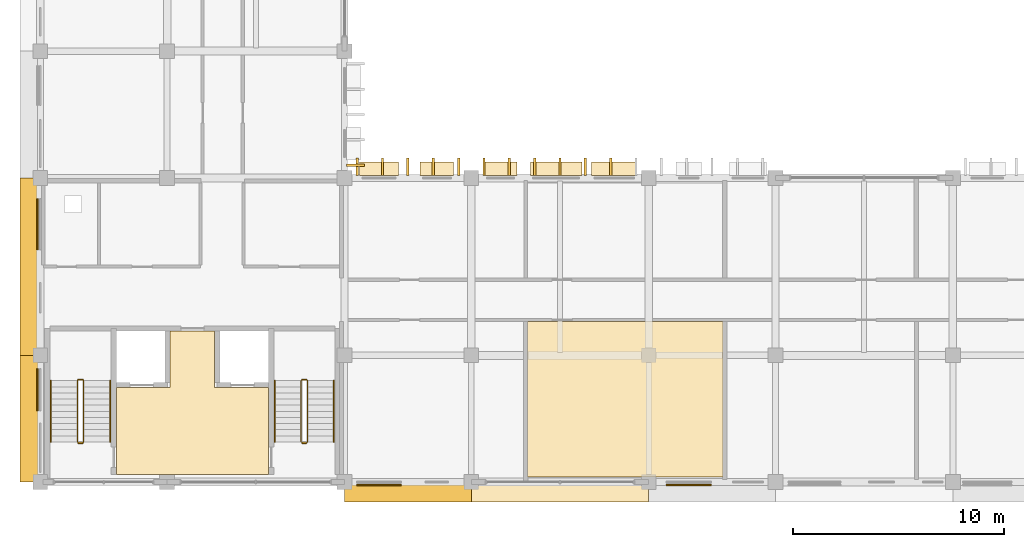
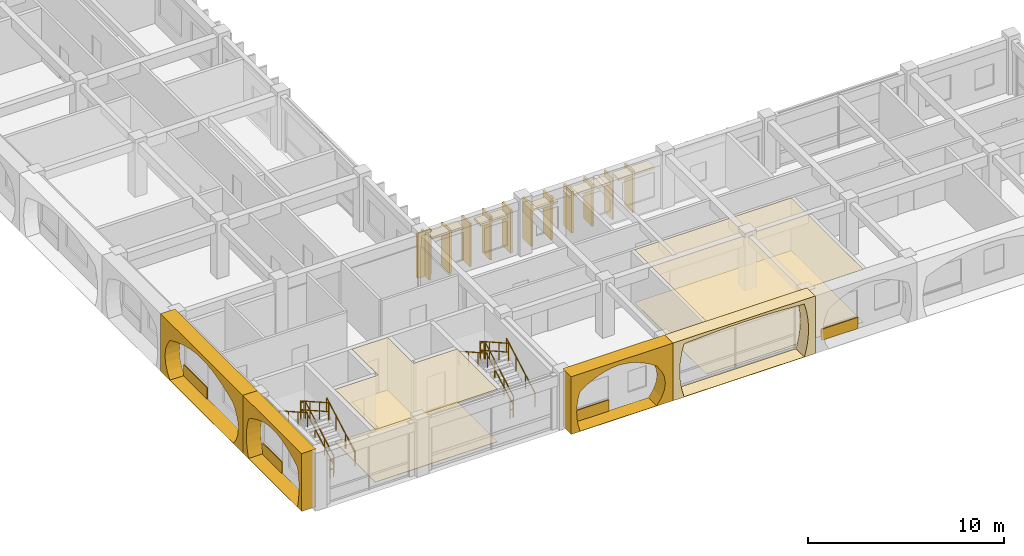
# One storey, part 69 of 88: 29 coverings, 12 railings.
"""IFC4 building model written with IfcOpenShell, lengths in metres."""

from ifc_helpers import new_model, si_unit, direction, frame, origin, origin_2d, place, context, subcontext, project, spatial, polyline, rectangle, outline, extrude, material, layer, layer_set, type_object, element, save


model = new_model("IFC4")

# Units and contexts
model_context = context("Model", 3, precision=1e-05, world=origin(), true_north=direction((0.0, 1.0)))
body_context = subcontext(model_context, "Body", "Model", "MODEL_VIEW")
ifc_project = project(units=[si_unit("LENGTHUNIT", "METRE"), si_unit("AREAUNIT", "SQUARE_METRE"), si_unit("VOLUMEUNIT", "CUBIC_METRE"), si_unit("PLANEANGLEUNIT", "RADIAN"), si_unit("MASSUNIT", "GRAM", prefix="KILO"), si_unit("THERMODYNAMICTEMPERATUREUNIT", "KELVIN")], contexts=[model_context])

# Site, building, storey
site_placement = place(None, origin())
site = spatial("IfcSite", under=ifc_project, at=site_placement, CompositionType="ELEMENT")
building_placement = place(site_placement, origin())
building = spatial("IfcBuilding", under=site, at=building_placement, Name="Thalorik Housing Commons", CompositionType="ELEMENT")
storey_placement = place(building_placement, frame((0.0, 0.0, 4.5)))
storey = spatial("IfcBuildingStorey", under=building, at=storey_placement, Name="L01", CompositionType="ELEMENT", Elevation=4.5)

# Coverings
ifc_material_1 = material(Name="Cobalt blue glazed ceramic facade tile panel", Category="masonry")
ifc_layer_1 = layer(ifc_material_1, 0.06005859375, Name="Cobalt blue glazed ceramic facade tile panel", Category="masonry")
ifc_layer_set_1 = layer_set([ifc_layer_1], Name="Cobalt blue glazed ceramic facade tile panel")
covering_type_1 = type_object("IfcCoveringType", Name="ARC-CLD-BLU-60", PredefinedType="CLADDING", material=ifc_layer_set_1)
covering_1_placement = place(storey_placement, frame((8.262451171875, 12.77001953125, 0.0498046875), z_axis=(0.0, 0.0, 1.0), x_axis=(0.0, -1.0, 0.0)))
element("IfcCovering", 1, at=covering_1_placement, inside=storey, type_object=covering_type_1, Name="L01 De Stijl Recessed Window Spandrel 3483", PredefinedType="CLADDING", context=body_context, shape_type="SweptSolid", body=[
    extrude(rectangle(XDim=1.97998046875, YDim=0.06005859375, at=origin_2d()), origin(), (0.0, 0.0, 1.0), 0.699951171875),
])
covering_2_placement = place(storey_placement, frame((24.429931640625, 8.262451171875, 0.0498046875), z_axis=(0.0, 0.0, 1.0), x_axis=(1.0, 0.0, 0.0)))
element("IfcCovering", 2, at=covering_2_placement, inside=storey, type_object=covering_type_1, Name="L01 De Stijl Recessed Window Spandrel 3485", PredefinedType="CLADDING", context=body_context, shape_type="SweptSolid", body=[
    extrude(rectangle(XDim=2.1201171875, YDim=0.06005859375, at=origin_2d()), origin(), (0.0, 0.0, 1.0), 0.699951171875),
])
ifc_material_2 = material(Name="Precast concrete C40/50", Category="concrete")
ifc_layer_2 = layer(ifc_material_2, 0.85009765625, Name="Precast concrete C40/50", Category="concrete")
ifc_layer_set_2 = layer_set([ifc_layer_2], Name="Precast concrete C40/50")
covering_type_2 = type_object("IfcCoveringType", Name="ARC-CLD-CUSH-850", PredefinedType="CLADDING", material=ifc_layer_set_2)
covering_3_placement = place(storey_placement, frame((7.87255859375, 18.60009765625, 0.0), z_axis=(0.0, 0.0, 1.0), x_axis=(0.0, -1.0, 0.0)))
element("IfcCovering", 3, at=covering_3_placement, inside=storey, type_object=covering_type_2, Name="L01 White Precast Curved Cushion Bay Frame 3480", PredefinedType="CLADDING", context=body_context, shape_type="SweptSolid", body=[
    extrude(outline(polyline([(-4.199951171875, 0.0), (4.199951171875, 0.0), (4.199951171875, 3.60009765625), (-4.199951171875, 3.60009765625), (-4.199951171875, 0.0)]), holes=[polyline([(3.239990234375, 0.02490234375), (3.523193359375, 0.4375), (3.693359375, 0.85009765625), (3.75, 1.262451171875), (3.693359375, 1.675048828125), (3.523193359375, 2.08740234375), (3.239990234375, 2.5), (2.69873046875, 2.755615234375), (2.157470703125, 2.956298828125), (1.6162109375, 3.119140625), (1.074951171875, 3.239990234375), (0.53369140625, 3.314697265625), (-0.007568359375, 3.340087890625), (-0.548828125, 3.314697265625), (-1.090087890625, 3.239990234375), (-1.631103515625, 3.119140625), (-2.172607421875, 2.956298828125), (-2.713623046875, 2.755615234375), (-3.2548828125, 2.5), (-3.530029296875, 2.08740234375), (-3.695068359375, 1.675048828125), (-3.75, 1.262451171875), (-3.695068359375, 0.85009765625), (-3.530029296875, 0.4375), (-3.2548828125, 0.02490234375), (3.239990234375, 0.02490234375)])]), frame((0.0, 0.425048828125, 0.0), z_axis=(0.0, -1.0, 0.0), x_axis=(1.0, 0.0, 0.0)), (0.0, 0.0, 1.0), 0.85009765625),
])
covering_4_placement = place(storey_placement, frame((7.87255859375, 11.39990234375, 0.0), z_axis=(0.0, 0.0, 1.0), x_axis=(0.0, -1.0, 0.0)))
element("IfcCovering", 4, at=covering_4_placement, inside=storey, type_object=covering_type_2, Name="L01 White Precast Curved Cushion Bay Frame 3482", PredefinedType="CLADDING", context=body_context, shape_type="SweptSolid", body=[
    extrude(outline(polyline([(-3.0, 0.0), (3.0, 0.0), (3.0, 3.60009765625), (-3.0, 3.60009765625), (-3.0, 0.0)]), holes=[polyline([(2.580078125, 0.02490234375), (2.668701171875, 0.4375), (2.721923828125, 0.85009765625), (2.739501953125, 1.262451171875), (2.721923828125, 1.675048828125), (2.668701171875, 2.08740234375), (2.580078125, 2.5), (2.164306640625, 2.755615234375), (1.748291015625, 2.956298828125), (1.33251953125, 3.119140625), (0.916748046875, 3.239990234375), (0.500732421875, 3.314697265625), (0.0849609375, 3.340087890625), (-0.330810546875, 3.314697265625), (-0.74658203125, 3.239990234375), (-1.16259765625, 3.119140625), (-1.578369140625, 2.956298828125), (-1.994140625, 2.755615234375), (-2.409912109375, 2.5), (-2.53466796875, 2.08740234375), (-2.609375, 1.675048828125), (-2.63427734375, 1.262451171875), (-2.609375, 0.85009765625), (-2.53466796875, 0.4375), (-2.409912109375, 0.02490234375), (2.580078125, 0.02490234375)])]), frame((0.0, 0.425048828125, 0.0), z_axis=(0.0, -1.0, 0.0), x_axis=(1.0, 0.0, 0.0)), (0.0, 0.0, 1.0), 0.85009765625),
])
covering_5_placement = place(storey_placement, frame((25.800048828125, 7.87255859375, 0.0), z_axis=(0.0, 0.0, 1.0), x_axis=(1.0, 0.0, 0.0)))
element("IfcCovering", 5, at=covering_5_placement, inside=storey, type_object=covering_type_2, Name="L01 White Precast Curved Cushion Bay Frame 3484", PredefinedType="CLADDING", context=body_context, shape_type="SweptSolid", body=[
    extrude(outline(polyline([(-3.0, 0.0), (3.0, 0.0), (3.0, 3.60009765625), (-3.0, 3.60009765625), (-3.0, 0.0)]), holes=[polyline([(2.0400390625, 0.02490234375), (2.3232421875, 0.4375), (2.493408203125, 0.85009765625), (2.550048828125, 1.262451171875), (2.493408203125, 1.675048828125), (2.3232421875, 2.08740234375), (2.0400390625, 2.5), (1.663330078125, 2.755615234375), (1.28662109375, 2.956298828125), (0.909912109375, 3.119140625), (0.533203125, 3.239990234375), (0.15673828125, 3.314697265625), (-0.219970703125, 3.340087890625), (-0.5966796875, 3.314697265625), (-0.973388671875, 3.239990234375), (-1.35009765625, 3.119140625), (-1.726806640625, 2.956298828125), (-2.103271484375, 2.755615234375), (-2.47998046875, 2.5), (-2.58984375, 2.08740234375), (-2.655517578125, 1.675048828125), (-2.677490234375, 1.262451171875), (-2.655517578125, 0.85009765625), (-2.58984375, 0.4375), (-2.47998046875, 0.02490234375), (2.0400390625, 0.02490234375)])]), frame((0.0, 0.425048828125, 0.0), z_axis=(0.0, -1.0, 0.0), x_axis=(1.0, 0.0, 0.0)), (0.0, 0.0, 1.0), 0.85009765625),
])
covering_6_placement = place(storey_placement, frame((33.0, 7.87255859375, 0.0), z_axis=(0.0, 0.0, 1.0), x_axis=(1.0, 0.0, 0.0)))
element("IfcCovering", 6, at=covering_6_placement, inside=storey, type_object=covering_type_2, Name="L01 White Precast Curved Cushion Bay Frame 3486", PredefinedType="CLADDING", context=body_context, shape_type="SweptSolid", body=[
    extrude(outline(polyline([(-4.199951171875, 0.0), (4.199951171875, 0.0), (4.199951171875, 3.60009765625), (-4.199951171875, 3.60009765625), (-4.199951171875, 0.0)]), holes=[polyline([(3.550048828125, 0.02490234375), (3.687255859375, 0.57421875), (3.76953125, 1.123291015625), (3.797119140625, 1.672607421875), (3.76953125, 2.2216796875), (3.687255859375, 2.770751953125), (3.550048828125, 3.320068359375), (2.958251953125, 3.362548828125), (2.36669921875, 3.39599609375), (1.77490234375, 3.423095703125), (1.183349609375, 3.443359375), (0.591796875, 3.455810546875), (0.0, 3.4599609375), (-0.591796875, 3.455810546875), (-1.183349609375, 3.443359375), (-1.77490234375, 3.423095703125), (-2.36669921875, 3.39599609375), (-2.958251953125, 3.362548828125), (-3.550048828125, 3.320068359375), (-3.687255859375, 2.770751953125), (-3.76953125, 2.2216796875), (-3.797119140625, 1.672607421875), (-3.76953125, 1.123291015625), (-3.687255859375, 0.57421875), (-3.550048828125, 0.02490234375), (3.550048828125, 0.02490234375)])]), frame((0.0, 0.425048828125, 0.0), z_axis=(0.0, -1.0, 0.0), x_axis=(1.0, 0.0, 0.0)), (0.0, 0.0, 1.0), 0.85009765625),
])
ifc_layer_3 = layer(ifc_material_2, 0.85009765625, Name="Precast concrete C40/50", Category="concrete")
ifc_layer_set_3 = layer_set([ifc_layer_3], Name="Precast concrete C40/50")
covering_type_3 = type_object("IfcCoveringType", Name="ARC-CLD-FIN-850", PredefinedType="CLADDING", material=ifc_layer_set_3)
covering_7_placement = place(storey_placement, frame((23.327392578125, 23.39990234375, 0.0400390625), z_axis=(0.0, 0.0, 1.0), x_axis=(0.0, 1.0, 0.0)))
element("IfcCovering", 7, at=covering_7_placement, inside=storey, type_object=covering_type_3, Name="L01 Courtyard Precast Vertical Brise-Soleil Fin 3430", PredefinedType="CLADDING", context=body_context, shape_type="SweptSolid", body=[
    extrude(rectangle(XDim=0.110107421875, YDim=0.85009765625, at=origin_2d()), origin(), (0.0, 0.0, 1.0), 2.794921875),
])
for number, where, z_axis, x_axis, name in (
    (8, (35.39990234375, 23.327392578125, 0.0400390625), (0.0, 0.0, 1.0), (-1.0, 0.0, 0.0), "L01 Courtyard Precast Vertical Brise-Soleil Fin 3515"),
    (9, (34.199951171875, 23.327392578125, 0.0400390625), (0.0, 0.0, 1.0), (-1.0, 0.0, 0.0), "L01 Courtyard Precast Vertical Brise-Soleil Fin 3516"),
    (10, (33.0, 23.327392578125, 0.0400390625), (0.0, 0.0, 1.0), (-1.0, 0.0, 0.0), "L01 Courtyard Precast Vertical Brise-Soleil Fin 3517"),
    (11, (31.800048828125, 23.327392578125, 0.0400390625), (0.0, 0.0, 1.0), (-1.0, 0.0, 0.0), "L01 Courtyard Precast Vertical Brise-Soleil Fin 3518"),
    (12, (30.60009765625, 23.327392578125, 0.0400390625), (0.0, 0.0, 1.0), (-1.0, 0.0, 0.0), "L01 Courtyard Precast Vertical Brise-Soleil Fin 3519"),
    (13, (29.39990234375, 23.327392578125, 0.0400390625), (0.0, 0.0, 1.0), (-1.0, 0.0, 0.0), "L01 Courtyard Precast Vertical Brise-Soleil Fin 3520"),
):
    element("IfcCovering", number, at=place(storey_placement, frame(where, z_axis=z_axis, x_axis=x_axis)), inside=storey, type_object=covering_type_3, Name=name, PredefinedType="CLADDING", context=body_context, shape_type="SweptSolid", body=[
        extrude(rectangle(XDim=0.110107421875, YDim=0.85009765625, at=origin_2d()), origin(), (0.0, 0.0, 1.0), 2.594970703125),
    ])
for number, where, z_axis, x_axis, name in (
    (14, (28.199951171875, 23.327392578125, 0.0400390625), (0.0, 0.0, 1.0), (-1.0, 0.0, 0.0), "L01 Courtyard Precast Vertical Brise-Soleil Fin 3524"),
    (15, (27.0, 23.327392578125, 0.0400390625), (0.0, 0.0, 1.0), (-1.0, 0.0, 0.0), "L01 Courtyard Precast Vertical Brise-Soleil Fin 3525"),
    (16, (25.800048828125, 23.327392578125, 0.0400390625), (0.0, 0.0, 1.0), (-1.0, 0.0, 0.0), "L01 Courtyard Precast Vertical Brise-Soleil Fin 3526"),
    (17, (24.60009765625, 23.327392578125, 0.0400390625), (0.0, 0.0, 1.0), (-1.0, 0.0, 0.0), "L01 Courtyard Precast Vertical Brise-Soleil Fin 3527"),
    (18, (23.39990234375, 23.327392578125, 0.0400390625), (0.0, 0.0, 1.0), (-1.0, 0.0, 0.0), "L01 Courtyard Precast Vertical Brise-Soleil Fin 3528"),
):
    element("IfcCovering", number, at=place(storey_placement, frame(where, z_axis=z_axis, x_axis=x_axis)), inside=storey, type_object=covering_type_3, Name=name, PredefinedType="CLADDING", context=body_context, shape_type="SweptSolid", body=[
        extrude(rectangle(XDim=0.110107421875, YDim=0.85009765625, at=origin_2d()), origin(), (0.0, 0.0, 1.0), 2.695068359375),
    ])
ifc_layer_4 = layer(ifc_material_2, 0.64990234375, Name="Precast concrete C40/50", Category="concrete")
ifc_layer_set_4 = layer_set([ifc_layer_4], Name="Precast concrete C40/50")
covering_type_4 = type_object("IfcCoveringType", Name="ARC-CLD-HOOD-650", PredefinedType="CLADDING", material=ifc_layer_set_4)
covering_8_placement = place(storey_placement, frame((35.5673828125, 23.2275390625, 2.33984375), z_axis=(0.0, 0.0, 1.0), x_axis=(-1.0, 0.0, 0.0)))
element("IfcCovering", 19, at=covering_8_placement, inside=storey, type_object=covering_type_4, Name="L01 Courtyard Precast Window Sun-Hood 3521", PredefinedType="CLADDING", context=body_context, shape_type="SweptSolid", body=[
    extrude(rectangle(XDim=2.139892578125, YDim=0.64990234375, at=origin_2d()), origin(), (0.0, 0.0, 1.0), 0.139892578125),
])
covering_9_placement = place(storey_placement, frame((32.822509765625, 23.2275390625, 2.2900390625), z_axis=(0.0, 0.0, 1.0), x_axis=(-1.0, 0.0, 0.0)))
element("IfcCovering", 20, at=covering_9_placement, inside=storey, type_object=covering_type_4, Name="L01 Courtyard Precast Window Sun-Hood 3522", PredefinedType="CLADDING", context=body_context, shape_type="SweptSolid", body=[
    extrude(rectangle(XDim=2.43994140625, YDim=0.64990234375, at=origin_2d()), origin(), (0.0, 0.0, 1.0), 0.139892578125),
])
covering_10_placement = place(storey_placement, frame((30.18505859375, 23.2275390625, 2.18994140625), z_axis=(0.0, 0.0, 1.0), x_axis=(-1.0, 0.0, 0.0)))
element("IfcCovering", 21, at=covering_10_placement, inside=storey, type_object=covering_type_4, Name="L01 Courtyard Precast Window Sun-Hood 3523", PredefinedType="CLADDING", context=body_context, shape_type="SweptSolid", body=[
    extrude(rectangle(XDim=1.5400390625, YDim=0.64990234375, at=origin_2d()), origin(), (0.0, 0.0, 1.0), 0.139892578125),
])
covering_11_placement = place(storey_placement, frame((27.169921875, 23.2275390625, 2.33984375), z_axis=(0.0, 0.0, 1.0), x_axis=(-1.0, 0.0, 0.0)))
element("IfcCovering", 22, at=covering_11_placement, inside=storey, type_object=covering_type_4, Name="L01 Courtyard Precast Window Sun-Hood 3529", PredefinedType="CLADDING", context=body_context, shape_type="SweptSolid", body=[
    extrude(rectangle(XDim=1.590087890625, YDim=0.64990234375, at=origin_2d()), origin(), (0.0, 0.0, 1.0), 0.139892578125),
])
covering_12_placement = place(storey_placement, frame((24.429931640625, 23.2275390625, 2.5400390625), z_axis=(0.0, 0.0, 1.0), x_axis=(-1.0, 0.0, 0.0)))
element("IfcCovering", 23, at=covering_12_placement, inside=storey, type_object=covering_type_4, Name="L01 Courtyard Precast Window Sun-Hood 3530", PredefinedType="CLADDING", context=body_context, shape_type="SweptSolid", body=[
    extrude(rectangle(XDim=1.840087890625, YDim=0.64990234375, at=origin_2d()), origin(), (0.0, 0.0, 1.0), 0.139892578125),
])
ifc_material_3 = material(Name="Terracotta red mineral fibre-cement panel", Category="masonry")
ifc_layer_5 = layer(ifc_material_3, 0.054931640625, Name="Terracotta red mineral fibre-cement panel", Category="masonry")
ifc_layer_set_5 = layer_set([ifc_layer_5], Name="Terracotta red mineral fibre-cement panel")
covering_type_5 = type_object("IfcCoveringType", Name="ARC-CLD-RED-55", PredefinedType="CLADDING", material=ifc_layer_set_5)
covering_13_placement = place(storey_placement, frame((8.264892578125, 20.60498046875, 0.0498046875), z_axis=(0.0, 0.0, 1.0), x_axis=(0.0, -1.0, 0.0)))
element("IfcCovering", 24, at=covering_13_placement, inside=storey, type_object=covering_type_5, Name="L01 De Stijl Recessed Window Spandrel 3481", PredefinedType="CLADDING", context=body_context, shape_type="SweptSolid", body=[
    extrude(rectangle(XDim=2.39990234375, YDim=0.054931640625, at=origin_2d()), origin(), (0.0, 0.0, 1.0), 0.699951171875),
])
covering_14_placement = place(storey_placement, frame((39.094970703125, 8.264892578125, 0.0498046875), z_axis=(0.0, 0.0, 1.0), x_axis=(1.0, 0.0, 0.0)))
element("IfcCovering", 25, at=covering_14_placement, inside=storey, type_object=covering_type_5, Name="L01 De Stijl Recessed Window Spandrel 3488", PredefinedType="CLADDING", context=body_context, shape_type="SweptSolid", body=[
    extrude(rectangle(XDim=2.14990234375, YDim=0.054931640625, at=origin_2d()), origin(), (0.0, 0.0, 1.0), 0.699951171875),
])
ifc_material_4 = material(Name="Slatted timber acoustic hall baffle ceiling", Category="wood")
ifc_layer_6 = layer(ifc_material_4, 0.02197265625, Name="Slatted timber acoustic hall baffle ceiling", Category="wood")
ifc_layer_set_6 = layer_set([ifc_layer_6], Name="Slatted timber acoustic hall baffle ceiling")
covering_type_6 = type_object("IfcCoveringType", Name="ARC-COV-CEIL-03", PredefinedType="CEILING", material=ifc_layer_set_6)
covering_15_placement = place(storey_placement, frame((0.0, 0.0, 3.278076171875)))
element("IfcCovering", 26, at=covering_15_placement, inside=storey, type_object=covering_type_6, Name="L01 Shared Sewing Workshop Suspended Ceiling", PredefinedType="CEILING", context=body_context, shape_type="SweptSolid", body=[
    extrude(outline(polyline([(40.719970703125, 8.639892578125), (40.719970703125, 16.0), (31.4599609375, 16.0), (31.4599609375, 8.639892578125), (40.719970703125, 8.639892578125)])), origin(), (0.0, 0.0, 1.0), 0.02197265625),
])
ifc_material_5 = material(Name="Fire-rated calcium silicate corridor ceiling")
ifc_layer_7 = layer(ifc_material_5, 0.030029296875, Name="Fire-rated calcium silicate corridor ceiling")
ifc_layer_set_7 = layer_set([ifc_layer_7], Name="Fire-rated calcium silicate corridor ceiling")
covering_type_7 = type_object("IfcCoveringType", Name="ARC-COV-CEIL-05", PredefinedType="CEILING", material=ifc_layer_set_7)
covering_16_placement = place(storey_placement, frame((0.0, 0.0, 3.27001953125)))
element("IfcCovering", 27, at=covering_16_placement, inside=storey, type_object=covering_type_7, Name="L01 Block C Firefighting Lift Lobby Suspended Ceiling", PredefinedType="CEILING", context=body_context, shape_type="SweptSolid", body=[
    extrude(outline(polyline([(12.0, 12.8798828125), (12.0, 8.75), (19.199951171875, 8.75), (19.199951171875, 12.8798828125), (16.64990234375, 12.880126953125), (16.64990234375, 15.550048828125), (14.550048828125, 15.550048828125), (14.550048828125, 12.8798828125), (12.0, 12.8798828125)])), origin(), (0.0, 0.0, 1.0), 0.030029296875),
])
ifc_material_6 = material(Name="Cushioned natural linoleum nursery playroom flooring")
ifc_layer_8 = layer(ifc_material_6, 0.02001953125, Name="Cushioned natural linoleum nursery playroom flooring")
ifc_layer_set_8 = layer_set([ifc_layer_8], Name="Cushioned natural linoleum nursery playroom flooring")
covering_type_8 = type_object("IfcCoveringType", Name="ARC-COV-FLR-03", PredefinedType="FLOORING", material=ifc_layer_set_8)
covering_17_placement = place(storey_placement, origin())
element("IfcCovering", 28, at=covering_17_placement, inside=storey, type_object=covering_type_8, Name="L01 Shared Sewing Workshop Flooring", PredefinedType="FLOORING", context=body_context, shape_type="SweptSolid", body=[
    extrude(outline(polyline([(40.719970703125, 8.639892578125), (40.719970703125, 16.0), (31.4599609375, 16.0), (31.4599609375, 8.639892578125), (40.719970703125, 8.639892578125)])), origin(), (0.0, 0.0, 1.0), 0.02001953125),
])
ifc_material_7 = material(Name="Heavy-duty porcelain metro vestibule tile")
ifc_layer_9 = layer(ifc_material_7, 0.028076171875, Name="Heavy-duty porcelain metro vestibule tile")
ifc_layer_set_9 = layer_set([ifc_layer_9], Name="Heavy-duty porcelain metro vestibule tile")
covering_type_9 = type_object("IfcCoveringType", Name="ARC-COV-FLR-05", PredefinedType="FLOORING", material=ifc_layer_set_9)
covering_18_placement = place(storey_placement, origin())
element("IfcCovering", 29, at=covering_18_placement, inside=storey, type_object=covering_type_9, Name="L01 Block C Firefighting Lift Lobby Flooring", PredefinedType="FLOORING", context=body_context, shape_type="SweptSolid", body=[
    extrude(outline(polyline([(12.0, 12.8798828125), (12.0, 8.75), (19.199951171875, 8.75), (19.199951171875, 12.8798828125), (16.64990234375, 12.880126953125), (16.64990234375, 15.550048828125), (14.550048828125, 15.550048828125), (14.550048828125, 12.8798828125), (12.0, 12.8798828125)])), origin(), (0.0, 0.0, 1.0), 0.028076171875),
])

# Railings
ifc_material_8 = material(Name="Steel S355", Category="steel")
railing_type_1 = type_object("IfcRailingType", Name="ARC-RL-STR-GRD110", PredefinedType="GUARDRAIL", material=ifc_material_8)
railing_1_placement = place(storey_placement, frame((10.449951171875, 10.300048828125, 0.16357421875)))
element("IfcRailing", 30, at=railing_1_placement, inside=storey, type_object=railing_type_1, Name="L01 ST-C1 stair guard 1", PredefinedType="GUARDRAIL", context=body_context, shape_type="SweptSolid", body=[
    extrude(rectangle(XDim=0.048095703125, YDim=0.048095703125, at=origin_2d()), frame((0.0, 0.0, 1.076171875), z_axis=(0.0, 0.870897200241, 0.491465224214), x_axis=(-1.0, 0.0, 0.0)), (0.0, 0.0, 1.0), 3.329833984375),
    extrude(rectangle(XDim=0.048095703125, YDim=0.048095703125, at=origin_2d()), frame((0.0, 0.0, 0.52587890625), z_axis=(0.0, 0.870897200241, 0.491465224214), x_axis=(-1.0, 0.0, 0.0)), (0.0, 0.0, 1.0), 3.329833984375),
    extrude(rectangle(XDim=0.0419921875, YDim=0.0419921875, at=origin_2d()), origin(), (0.0, 0.0, 1.0), 1.052001953125),
    extrude(rectangle(XDim=0.0419921875, YDim=0.0419921875, at=origin_2d()), frame((0.0, 0.966552734375, 0.54541015625)), (0.0, 0.0, 1.0), 1.052001953125),
    extrude(rectangle(XDim=0.0419921875, YDim=0.0419921875, at=origin_2d()), frame((0.0, 1.933349609375, 1.091064453125)), (0.0, 0.0, 1.0), 1.052001953125),
    extrude(rectangle(XDim=0.0419921875, YDim=0.0419921875, at=origin_2d()), frame((0.0, 2.89990234375, 1.636474609375)), (0.0, 0.0, 1.0), 1.052001953125),
])
railing_2_placement = place(storey_placement, frame((10.39990234375, 13.25, 1.800048828125)))
element("IfcRailing", 31, at=railing_2_placement, inside=storey, type_object=railing_type_1, Name="L01 ST-C1 stair guard 2", PredefinedType="GUARDRAIL", context=body_context, shape_type="SweptSolid", body=[
    extrude(rectangle(XDim=0.048095703125, YDim=0.048095703125, at=origin_2d()), frame((0.0, 0.0, 1.076171875), z_axis=(-1.0, 0.0, 0.0), x_axis=(0.0, -1.0, 0.0)), (0.0, 0.0, 1.0), 0.199951171875),
    extrude(rectangle(XDim=0.048095703125, YDim=0.048095703125, at=origin_2d()), frame((0.0, 0.0, 0.52587890625), z_axis=(-1.0, 0.0, 0.0), x_axis=(0.0, -1.0, 0.0)), (0.0, 0.0, 1.0), 0.199951171875),
    extrude(rectangle(XDim=0.0419921875, YDim=0.0419921875, at=origin_2d()), origin(), (0.0, 0.0, 1.0), 1.052001953125),
    extrude(rectangle(XDim=0.0419921875, YDim=0.0419921875, at=origin_2d()), frame((-0.199951171875, 0.0, 0.0)), (0.0, 0.0, 1.0), 1.052001953125),
])
railing_3_placement = place(storey_placement, frame((10.14990234375, 13.199951171875, 1.963623046875)))
element("IfcRailing", 32, at=railing_3_placement, inside=storey, type_object=railing_type_1, Name="L01 ST-C1 stair guard 3", PredefinedType="GUARDRAIL", context=body_context, shape_type="SweptSolid", body=[
    extrude(rectangle(XDim=0.048095703125, YDim=0.048095703125, at=origin_2d()), frame((0.0, 0.0, 1.076171875), z_axis=(0.0, -0.870897200241, 0.491465224214), x_axis=(1.0, 0.0, 0.0)), (0.0, 0.0, 1.0), 3.329833984375),
    extrude(rectangle(XDim=0.048095703125, YDim=0.048095703125, at=origin_2d()), frame((0.0, 0.0, 0.52587890625), z_axis=(0.0, -0.870897200241, 0.491465224214), x_axis=(1.0, 0.0, 0.0)), (0.0, 0.0, 1.0), 3.329833984375),
    extrude(rectangle(XDim=0.0419921875, YDim=0.0419921875, at=origin_2d()), origin(), (0.0, 0.0, 1.0), 1.052001953125),
    extrude(rectangle(XDim=0.0419921875, YDim=0.0419921875, at=origin_2d()), frame((0.0, -0.966552734375, 0.54541015625)), (0.0, 0.0, 1.0), 1.052001953125),
    extrude(rectangle(XDim=0.0419921875, YDim=0.0419921875, at=origin_2d()), frame((0.0, -1.933349609375, 1.091064453125)), (0.0, 0.0, 1.0), 1.052001953125),
    extrude(rectangle(XDim=0.0419921875, YDim=0.0419921875, at=origin_2d()), frame((0.0, -2.89990234375, 1.636474609375)), (0.0, 0.0, 1.0), 1.052001953125),
])
railing_4_placement = place(storey_placement, frame((10.39990234375, 10.25, 0.0)))
element("IfcRailing", 33, at=railing_4_placement, inside=storey, type_object=railing_type_1, Name="L01 ST-C1 stair guard 4", PredefinedType="GUARDRAIL", context=body_context, shape_type="SweptSolid", body=[
    extrude(rectangle(XDim=0.048095703125, YDim=0.048095703125, at=origin_2d()), frame((0.0, 0.0, 1.076171875), z_axis=(-1.0, 0.0, 0.0), x_axis=(0.0, -1.0, 0.0)), (0.0, 0.0, 1.0), 0.199951171875),
    extrude(rectangle(XDim=0.048095703125, YDim=0.048095703125, at=origin_2d()), frame((0.0, 0.0, 0.52587890625), z_axis=(-1.0, 0.0, 0.0), x_axis=(0.0, -1.0, 0.0)), (0.0, 0.0, 1.0), 0.199951171875),
    extrude(rectangle(XDim=0.0419921875, YDim=0.0419921875, at=origin_2d()), origin(), (0.0, 0.0, 1.0), 1.052001953125),
    extrude(rectangle(XDim=0.0419921875, YDim=0.0419921875, at=origin_2d()), frame((-0.199951171875, 0.0, 0.0)), (0.0, 0.0, 1.0), 1.052001953125),
])
railing_5_placement = place(storey_placement, frame((21.050048828125, 10.300048828125, 0.16357421875)))
element("IfcRailing", 34, at=railing_5_placement, inside=storey, type_object=railing_type_1, Name="L01 ST-C2 stair guard 1", PredefinedType="GUARDRAIL", context=body_context, shape_type="SweptSolid", body=[
    extrude(rectangle(XDim=0.048095703125, YDim=0.048095703125, at=origin_2d()), frame((0.0, 0.0, 1.076171875), z_axis=(0.0, 0.870897200241, 0.491465224214), x_axis=(-1.0, 0.0, 0.0)), (0.0, 0.0, 1.0), 3.329833984375),
    extrude(rectangle(XDim=0.048095703125, YDim=0.048095703125, at=origin_2d()), frame((0.0, 0.0, 0.52587890625), z_axis=(0.0, 0.870897200241, 0.491465224214), x_axis=(-1.0, 0.0, 0.0)), (0.0, 0.0, 1.0), 3.329833984375),
    extrude(rectangle(XDim=0.0419921875, YDim=0.0419921875, at=origin_2d()), origin(), (0.0, 0.0, 1.0), 1.052001953125),
    extrude(rectangle(XDim=0.0419921875, YDim=0.0419921875, at=origin_2d()), frame((0.0, 0.966552734375, 0.54541015625)), (0.0, 0.0, 1.0), 1.052001953125),
    extrude(rectangle(XDim=0.0419921875, YDim=0.0419921875, at=origin_2d()), frame((0.0, 1.933349609375, 1.091064453125)), (0.0, 0.0, 1.0), 1.052001953125),
    extrude(rectangle(XDim=0.0419921875, YDim=0.0419921875, at=origin_2d()), frame((0.0, 2.89990234375, 1.636474609375)), (0.0, 0.0, 1.0), 1.052001953125),
])
railing_6_placement = place(storey_placement, frame((21.0, 13.25, 1.800048828125)))
element("IfcRailing", 35, at=railing_6_placement, inside=storey, type_object=railing_type_1, Name="L01 ST-C2 stair guard 2", PredefinedType="GUARDRAIL", context=body_context, shape_type="SweptSolid", body=[
    extrude(rectangle(XDim=0.048095703125, YDim=0.048095703125, at=origin_2d()), frame((0.0, 0.0, 1.076171875), z_axis=(-1.0, 0.0, 0.0), x_axis=(0.0, -1.0, 0.0)), (0.0, 0.0, 1.0), 0.199951171875),
    extrude(rectangle(XDim=0.048095703125, YDim=0.048095703125, at=origin_2d()), frame((0.0, 0.0, 0.52587890625), z_axis=(-1.0, 0.0, 0.0), x_axis=(0.0, -1.0, 0.0)), (0.0, 0.0, 1.0), 0.199951171875),
    extrude(rectangle(XDim=0.0419921875, YDim=0.0419921875, at=origin_2d()), origin(), (0.0, 0.0, 1.0), 1.052001953125),
    extrude(rectangle(XDim=0.0419921875, YDim=0.0419921875, at=origin_2d()), frame((-0.199951171875, 0.0, 0.0)), (0.0, 0.0, 1.0), 1.052001953125),
])
railing_7_placement = place(storey_placement, frame((20.75, 13.199951171875, 1.963623046875)))
element("IfcRailing", 36, at=railing_7_placement, inside=storey, type_object=railing_type_1, Name="L01 ST-C2 stair guard 3", PredefinedType="GUARDRAIL", context=body_context, shape_type="SweptSolid", body=[
    extrude(rectangle(XDim=0.048095703125, YDim=0.048095703125, at=origin_2d()), frame((0.0, 0.0, 1.076171875), z_axis=(0.0, -0.870897200241, 0.491465224214), x_axis=(1.0, 0.0, 0.0)), (0.0, 0.0, 1.0), 3.329833984375),
    extrude(rectangle(XDim=0.048095703125, YDim=0.048095703125, at=origin_2d()), frame((0.0, 0.0, 0.52587890625), z_axis=(0.0, -0.870897200241, 0.491465224214), x_axis=(1.0, 0.0, 0.0)), (0.0, 0.0, 1.0), 3.329833984375),
    extrude(rectangle(XDim=0.0419921875, YDim=0.0419921875, at=origin_2d()), origin(), (0.0, 0.0, 1.0), 1.052001953125),
    extrude(rectangle(XDim=0.0419921875, YDim=0.0419921875, at=origin_2d()), frame((0.0, -0.966552734375, 0.54541015625)), (0.0, 0.0, 1.0), 1.052001953125),
    extrude(rectangle(XDim=0.0419921875, YDim=0.0419921875, at=origin_2d()), frame((0.0, -1.933349609375, 1.091064453125)), (0.0, 0.0, 1.0), 1.052001953125),
    extrude(rectangle(XDim=0.0419921875, YDim=0.0419921875, at=origin_2d()), frame((0.0, -2.89990234375, 1.636474609375)), (0.0, 0.0, 1.0), 1.052001953125),
])
railing_8_placement = place(storey_placement, frame((21.0, 10.25, 0.0)))
element("IfcRailing", 37, at=railing_8_placement, inside=storey, type_object=railing_type_1, Name="L01 ST-C2 stair guard 4", PredefinedType="GUARDRAIL", context=body_context, shape_type="SweptSolid", body=[
    extrude(rectangle(XDim=0.048095703125, YDim=0.048095703125, at=origin_2d()), frame((0.0, 0.0, 1.076171875), z_axis=(-1.0, 0.0, 0.0), x_axis=(0.0, -1.0, 0.0)), (0.0, 0.0, 1.0), 0.199951171875),
    extrude(rectangle(XDim=0.048095703125, YDim=0.048095703125, at=origin_2d()), frame((0.0, 0.0, 0.52587890625), z_axis=(-1.0, 0.0, 0.0), x_axis=(0.0, -1.0, 0.0)), (0.0, 0.0, 1.0), 0.199951171875),
    extrude(rectangle(XDim=0.0419921875, YDim=0.0419921875, at=origin_2d()), origin(), (0.0, 0.0, 1.0), 1.052001953125),
    extrude(rectangle(XDim=0.0419921875, YDim=0.0419921875, at=origin_2d()), frame((-0.199951171875, 0.0, 0.0)), (0.0, 0.0, 1.0), 1.052001953125),
])
railing_type_2 = type_object("IfcRailingType", Name="ARC-RL-STR-HR092", PredefinedType="HANDRAIL", material=ifc_material_8)
railing_9_placement = place(storey_placement, frame((11.699951171875, 10.300048828125, 0.16357421875)))
element("IfcRailing", 38, at=railing_9_placement, inside=storey, type_object=railing_type_2, Name="L01 ST-C1 stair handrail 1", PredefinedType="HANDRAIL", context=body_context, shape_type="SweptSolid", body=[
    extrude(rectangle(XDim=0.048095703125, YDim=0.048095703125, at=origin_2d()), frame((0.0, 0.0, 0.89599609375), z_axis=(0.0, 0.870897200241, 0.491465224214), x_axis=(-1.0, 0.0, 0.0)), (0.0, 0.0, 1.0), 3.329833984375),
    extrude(rectangle(XDim=0.0419921875, YDim=0.0419921875, at=origin_2d()), origin(), (0.0, 0.0, 1.0), 0.871826171875),
    extrude(rectangle(XDim=0.0419921875, YDim=0.0419921875, at=origin_2d()), frame((0.0, 0.966552734375, 0.54541015625)), (0.0, 0.0, 1.0), 0.871826171875),
    extrude(rectangle(XDim=0.0419921875, YDim=0.0419921875, at=origin_2d()), frame((0.0, 1.933349609375, 1.091064453125)), (0.0, 0.0, 1.0), 0.871826171875),
    extrude(rectangle(XDim=0.0419921875, YDim=0.0419921875, at=origin_2d()), frame((0.0, 2.89990234375, 1.636474609375)), (0.0, 0.0, 1.0), 0.871826171875),
])
railing_10_placement = place(storey_placement, frame((8.89990234375, 13.199951171875, 1.963623046875)))
element("IfcRailing", 39, at=railing_10_placement, inside=storey, type_object=railing_type_2, Name="L01 ST-C1 stair handrail 2", PredefinedType="HANDRAIL", context=body_context, shape_type="SweptSolid", body=[
    extrude(rectangle(XDim=0.048095703125, YDim=0.048095703125, at=origin_2d()), frame((0.0, 0.0, 0.89599609375), z_axis=(0.0, -0.870897200241, 0.491465224214), x_axis=(1.0, 0.0, 0.0)), (0.0, 0.0, 1.0), 3.329833984375),
    extrude(rectangle(XDim=0.0419921875, YDim=0.0419921875, at=origin_2d()), origin(), (0.0, 0.0, 1.0), 0.871826171875),
    extrude(rectangle(XDim=0.0419921875, YDim=0.0419921875, at=origin_2d()), frame((0.0, -0.966552734375, 0.54541015625)), (0.0, 0.0, 1.0), 0.871826171875),
    extrude(rectangle(XDim=0.0419921875, YDim=0.0419921875, at=origin_2d()), frame((0.0, -1.933349609375, 1.091064453125)), (0.0, 0.0, 1.0), 0.871826171875),
    extrude(rectangle(XDim=0.0419921875, YDim=0.0419921875, at=origin_2d()), frame((0.0, -2.89990234375, 1.636474609375)), (0.0, 0.0, 1.0), 0.871826171875),
])
railing_11_placement = place(storey_placement, frame((22.300048828125, 10.300048828125, 0.16357421875)))
element("IfcRailing", 40, at=railing_11_placement, inside=storey, type_object=railing_type_2, Name="L01 ST-C2 stair handrail 1", PredefinedType="HANDRAIL", context=body_context, shape_type="SweptSolid", body=[
    extrude(rectangle(XDim=0.048095703125, YDim=0.048095703125, at=origin_2d()), frame((0.0, 0.0, 0.89599609375), z_axis=(0.0, 0.870897200241, 0.491465224214), x_axis=(-1.0, 0.0, 0.0)), (0.0, 0.0, 1.0), 3.329833984375),
    extrude(rectangle(XDim=0.0419921875, YDim=0.0419921875, at=origin_2d()), origin(), (0.0, 0.0, 1.0), 0.871826171875),
    extrude(rectangle(XDim=0.0419921875, YDim=0.0419921875, at=origin_2d()), frame((0.0, 0.966552734375, 0.54541015625)), (0.0, 0.0, 1.0), 0.871826171875),
    extrude(rectangle(XDim=0.0419921875, YDim=0.0419921875, at=origin_2d()), frame((0.0, 1.933349609375, 1.091064453125)), (0.0, 0.0, 1.0), 0.871826171875),
    extrude(rectangle(XDim=0.0419921875, YDim=0.0419921875, at=origin_2d()), frame((0.0, 2.89990234375, 1.636474609375)), (0.0, 0.0, 1.0), 0.871826171875),
])
railing_12_placement = place(storey_placement, frame((19.5, 13.199951171875, 1.963623046875)))
element("IfcRailing", 41, at=railing_12_placement, inside=storey, type_object=railing_type_2, Name="L01 ST-C2 stair handrail 2", PredefinedType="HANDRAIL", context=body_context, shape_type="SweptSolid", body=[
    extrude(rectangle(XDim=0.048095703125, YDim=0.048095703125, at=origin_2d()), frame((0.0, 0.0, 0.89599609375), z_axis=(0.0, -0.870897200241, 0.491465224214), x_axis=(1.0, 0.0, 0.0)), (0.0, 0.0, 1.0), 3.329833984375),
    extrude(rectangle(XDim=0.0419921875, YDim=0.0419921875, at=origin_2d()), origin(), (0.0, 0.0, 1.0), 0.871826171875),
    extrude(rectangle(XDim=0.0419921875, YDim=0.0419921875, at=origin_2d()), frame((0.0, -0.966552734375, 0.54541015625)), (0.0, 0.0, 1.0), 0.871826171875),
    extrude(rectangle(XDim=0.0419921875, YDim=0.0419921875, at=origin_2d()), frame((0.0, -1.933349609375, 1.091064453125)), (0.0, 0.0, 1.0), 0.871826171875),
    extrude(rectangle(XDim=0.0419921875, YDim=0.0419921875, at=origin_2d()), frame((0.0, -2.89990234375, 1.636474609375)), (0.0, 0.0, 1.0), 0.871826171875),
])

save(model, "model.ifc")
